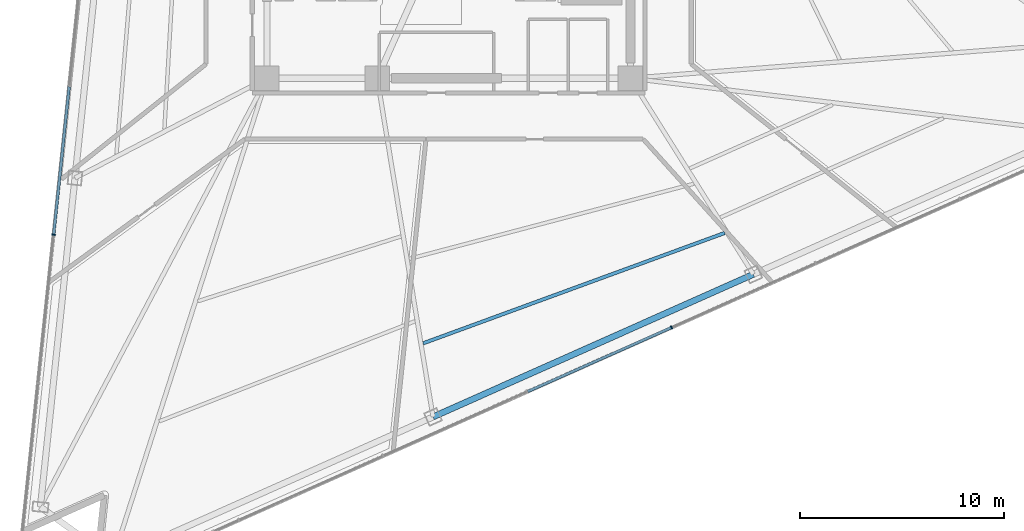
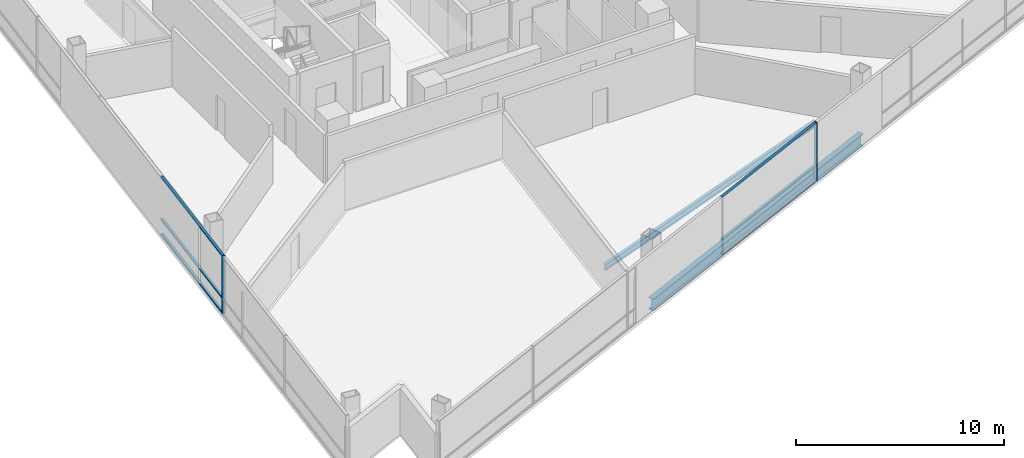
# One storey, part 3 of 19: 8 members, 2 beams, 2 elements without a shape of their own.
"""IFC4 building model written with IfcOpenShell, lengths in metres."""

from ifc_helpers import new_model, si_unit, direction, frame, origin, origin_2d, place, context, subcontext, project, spatial, rectangle, i_section, extrude, material, layer, layer_set, material_profile, profile_set, type_object, element, aggregate, save


model = new_model("IFC4")

# Units and contexts
model_context = context("Model", 3, precision=1e-05, world=origin(), true_north=direction((0.0, 1.0)))
body_context = subcontext(model_context, "Body", "Model", "MODEL_VIEW")
ifc_project = project(units=[si_unit("LENGTHUNIT", "METRE"), si_unit("AREAUNIT", "SQUARE_METRE"), si_unit("VOLUMEUNIT", "CUBIC_METRE"), si_unit("PLANEANGLEUNIT", "RADIAN"), si_unit("MASSUNIT", "GRAM", prefix="KILO")], contexts=[model_context])

# Site, building, storey
site_placement = place(None, origin())
site = spatial("IfcSite", under=ifc_project, at=site_placement, CompositionType="ELEMENT")
building_placement = place(site_placement, origin())
building = spatial("IfcBuilding", under=site, at=building_placement, Name="Tharavind Bronze Gate", CompositionType="ELEMENT")
storey_placement = place(building_placement, frame((0.0, 0.0, 116.050048828125)))
storey = spatial("IfcBuildingStorey", under=building, at=storey_placement, Name="L29", CompositionType="ELEMENT", Elevation=116.050048828125)

# Curtain wall, member
ifc_material_1 = material(Name="Anodised Bronze Aluminium", Category="aluminium")
ifc_layer = layer(ifc_material_1, 0.219970703125)
ifc_layer_set = layer_set([ifc_layer], Name="Anodised Bronze Aluminium")
curtain_wall_type = type_object("IfcCurtainWallType", Name="UNITISED CURTAIN WALL LOWER OFFICE", PredefinedType="USERDEFINED", material=ifc_layer_set)
curtain_wall_1_placement = place(storey_placement, origin())
curtain_wall_1 = element("IfcCurtainWall", 1, at=curtain_wall_1_placement, inside=storey, type_object=curtain_wall_type, Name="L29 unitised curtain wall lower office CW-L29-S1", ObjectType="UNITISED CURTAIN WALL", PredefinedType="USERDEFINED")
member_type_1 = type_object("IfcMemberType", Name="CURTAIN WALL BRONZE MULLION 65X180", PredefinedType="MULLION", material=ifc_material_1)
member_1_placement = place(storey_placement, frame((-19.349853515625, -15.2646484375, 0.0), z_axis=(0.0, 0.0, 1.0), x_axis=(-0.104526727499, -0.994522077803, 0.0)))
member_1 = element("IfcMember", 2, at=member_1_placement, type_object=member_type_1, Name="CW-L29-S1 mullion 6", PredefinedType="MULLION", context=body_context, shape_type="SweptSolid", body=[
    extrude(rectangle(XDim=0.06494140625, YDim=0.179931640625, at=origin_2d()), origin(), (0.0, 0.0, 1.0), 3.409912109375),
])

curtain_wall_2_placement = place(storey_placement, origin())
curtain_wall_2 = element("IfcCurtainWall", 3, at=curtain_wall_2_placement, inside=storey, type_object=curtain_wall_type, Name="L29 unitised curtain wall lower office CW-L29-S2", ObjectType="UNITISED CURTAIN WALL", PredefinedType="USERDEFINED")
member_2_placement = place(storey_placement, frame((10.913330078125, -19.80859375, 0.0), z_axis=(0.0, 0.0, 1.0), x_axis=(0.913545457643, 0.406736643076, 0.0)))
member_2 = element("IfcMember", 4, at=member_2_placement, type_object=member_type_1, Name="CW-L29-S2 mullion 5", PredefinedType="MULLION", context=body_context, shape_type="SweptSolid", body=[
    extrude(rectangle(XDim=0.06494140625, YDim=0.179931640625, at=origin_2d()), origin(), (0.0, 0.0, 1.0), 3.409912109375),
])

# Member
member_type_2 = type_object("IfcMemberType", Name="CURTAIN WALL BRONZE TRANSOM 65X140", PredefinedType="USERDEFINED", material=ifc_material_1)
member_3_placement = place(storey_placement, frame((-18.967529296875, -11.628173828125, 0.0), z_axis=(0.0, 0.0, 1.0), x_axis=(-0.104526727499, -0.994522077803, 0.0)))
member_3 = element("IfcMember", 5, at=member_3_placement, type_object=member_type_2, Name="CW-L29-S1 transom TB5", ObjectType="TRANSOM", PredefinedType="USERDEFINED", context=body_context, shape_type="SweptSolid", body=[
    extrude(rectangle(XDim=7.26025390625, YDim=0.139892578125, at=origin_2d()), origin(), (0.0, 0.0, 1.0), 0.06494140625),
])

member_4_placement = place(storey_placement, frame((-18.967529296875, -11.628173828125, 0.867431640625), z_axis=(0.0, 0.0, 1.0), x_axis=(-0.104526727499, -0.994522077803, 0.0)))
member_4 = element("IfcMember", 6, at=member_4_placement, type_object=member_type_2, Name="CW-L29-S1 transom TS5", ObjectType="TRANSOM", PredefinedType="USERDEFINED", context=body_context, shape_type="SweptSolid", body=[
    extrude(rectangle(XDim=7.26025390625, YDim=0.139892578125, at=origin_2d()), origin(), (0.0, 0.0, 1.0), 0.06494140625),
])

member_5_placement = place(storey_placement, frame((-18.967529296875, -11.628173828125, 3.344970703125), z_axis=(0.0, 0.0, 1.0), x_axis=(-0.104526727499, -0.994522077803, 0.0)))
member_5 = element("IfcMember", 7, at=member_5_placement, type_object=member_type_2, Name="CW-L29-S1 transom TT5", ObjectType="TRANSOM", PredefinedType="USERDEFINED", context=body_context, shape_type="SweptSolid", body=[
    extrude(rectangle(XDim=7.26025390625, YDim=0.139892578125, at=origin_2d()), origin(), (0.0, 0.0, 1.0), 0.06494140625),
])

aggregate(curtain_wall_1, [member_1, member_3, member_4, member_5])

member_6_placement = place(storey_placement, frame((7.38232421875, -21.380859375, 0.0), z_axis=(0.0, 0.0, 1.0), x_axis=(0.913545457643, 0.406736643076, 0.0)))
member_6 = element("IfcMember", 8, at=member_6_placement, type_object=member_type_2, Name="CW-L29-S2 transom TB4", ObjectType="TRANSOM", PredefinedType="USERDEFINED", context=body_context, shape_type="SweptSolid", body=[
    extrude(rectangle(XDim=7.677490234375, YDim=0.139892578125, at=origin_2d()), origin(), (0.0, 0.0, 1.0), 0.06494140625),
])

member_7_placement = place(storey_placement, frame((7.38232421875, -21.380859375, 0.867431640625), z_axis=(0.0, 0.0, 1.0), x_axis=(0.913545457643, 0.406736643076, 0.0)))
member_7 = element("IfcMember", 9, at=member_7_placement, type_object=member_type_2, Name="CW-L29-S2 transom TS4", ObjectType="TRANSOM", PredefinedType="USERDEFINED", context=body_context, shape_type="SweptSolid", body=[
    extrude(rectangle(XDim=7.677490234375, YDim=0.139892578125, at=origin_2d()), origin(), (0.0, 0.0, 1.0), 0.06494140625),
])

member_8_placement = place(storey_placement, frame((7.38232421875, -21.380859375, 3.344970703125), z_axis=(0.0, 0.0, 1.0), x_axis=(0.913545457643, 0.406736643076, 0.0)))
member_8 = element("IfcMember", 10, at=member_8_placement, type_object=member_type_2, Name="CW-L29-S2 transom TT4", ObjectType="TRANSOM", PredefinedType="USERDEFINED", context=body_context, shape_type="SweptSolid", body=[
    extrude(rectangle(XDim=7.677490234375, YDim=0.139892578125, at=origin_2d()), origin(), (0.0, 0.0, 1.0), 0.06494140625),
])

aggregate(curtain_wall_2, [member_2, member_6, member_7, member_8])

# Beams
ifc_material_2 = material(Name="Steel S355", Category="steel")
ifc_material_profile_1 = material_profile(ifc_material_2, i_section(OverallWidth=0.300048828125, OverallDepth=0.699951171875, WebThickness=0.01708984375, FlangeThickness=0.031982421875, at=origin_2d()), Name="HE700B")
ifc_profile_set_1 = profile_set([ifc_material_profile_1], Name="Steel S355")
beam_type_1 = type_object("IfcBeamType", Name="RING GIRDER HE700B", PredefinedType="USERDEFINED", material=ifc_profile_set_1)
beam_1_placement = place(storey_placement, frame((-0.766357421875, -24.18798828125, -0.5400390625), z_axis=(0.913546351362, 0.406734635744, 0.0), x_axis=(-0.406734635744, 0.913546351362, 0.0)))
element("IfcBeam", 11, at=beam_1_placement, inside=storey, type_object=beam_type_1, Name="L29 ring girder he700b BM-L29-PRG06", ObjectType="GIRDER", PredefinedType="USERDEFINED", context=body_context, shape_type="SweptSolid", body=[
    extrude(i_section(OverallWidth=0.300048828125, OverallDepth=0.699951171875, WebThickness=0.01708984375, FlangeThickness=0.031982421875, at=origin_2d()), origin(), (0.0, 0.0, 1.0), 17.171875),
])
ifc_material_profile_2 = material_profile(ifc_material_2, i_section(OverallWidth=0.169921875, OverallDepth=0.360107421875, WebThickness=0.008056640625, FlangeThickness=0.0126953125, at=origin_2d()), Name="IPE360")
ifc_profile_set_2 = profile_set([ifc_material_profile_2], Name="Steel S355")
beam_type_2 = type_object("IfcBeamType", Name="SECONDARY FLOOR JOIST IPE360", PredefinedType="JOIST", material=ifc_profile_set_2)
beam_2_placement = place(storey_placement, frame((-1.25, -20.58349609375, -0.3701171875), z_axis=(0.939077650043, 0.343705058428, 0.0), x_axis=(-0.343705058428, 0.939077650043, 0.0)))
element("IfcBeam", 12, at=beam_2_placement, inside=storey, type_object=beam_type_2, Name="L29 secondary floor joist ipe360 BM-L29-JSTB06", PredefinedType="JOIST", context=body_context, shape_type="SweptSolid", body=[
    extrude(i_section(OverallWidth=0.169921875, OverallDepth=0.360107421875, WebThickness=0.008056640625, FlangeThickness=0.0126953125, at=origin_2d()), origin(), (0.0, 0.0, 1.0), 15.72998046875),
])

save(model, "model.ifc")
